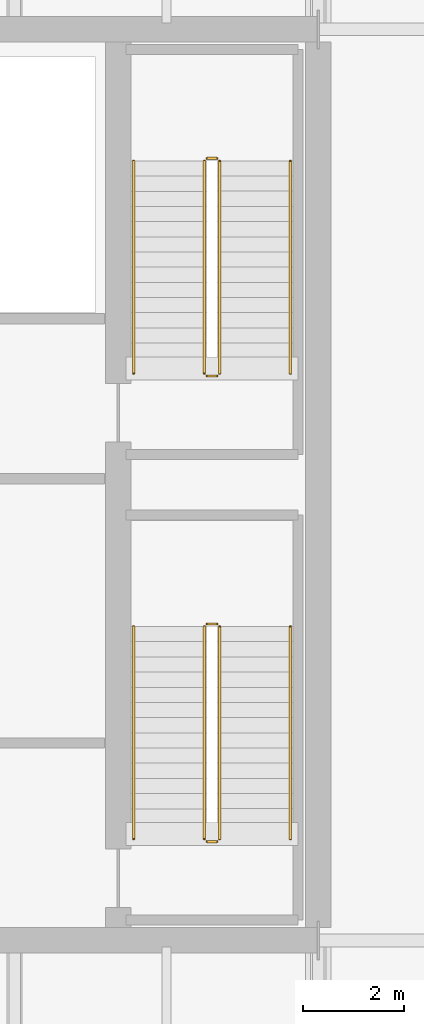
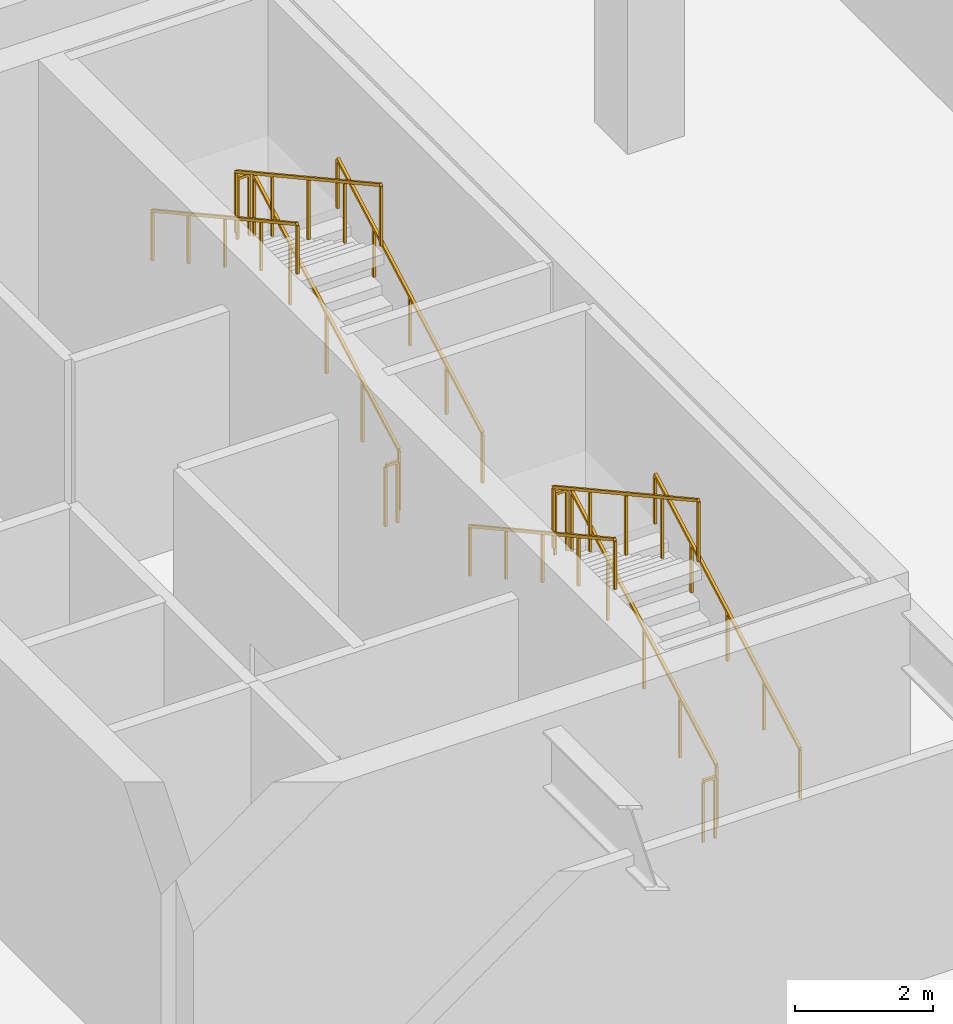
# One storey, part 20 of 21: 12 railings.
"""IFC4 building model written with IfcOpenShell, lengths in metres."""

from ifc_helpers import new_model, si_unit, direction, frame, origin, place, context, subcontext, project, spatial, rectangle, extrude, material, type_object, element, save


model = new_model("IFC4")

# Units and contexts
model_context = context("Model", 3, precision=1e-05, world=origin(), true_north=direction((0.0, 1.0)))
body_context = subcontext(model_context, "Body", "Model", "MODEL_VIEW")
ifc_project = project(units=[si_unit("LENGTHUNIT", "METRE"), si_unit("AREAUNIT", "SQUARE_METRE"), si_unit("VOLUMEUNIT", "CUBIC_METRE"), si_unit("PLANEANGLEUNIT", "RADIAN"), si_unit("MASSUNIT", "GRAM", prefix="KILO")], contexts=[model_context])

# Site, building, storey
site_placement = place(None, origin())
site = spatial("IfcSite", under=ifc_project, at=site_placement, CompositionType="ELEMENT")
building_placement = place(site_placement, origin())
building = spatial("IfcBuilding", under=site, at=building_placement, Name="Tanjung Sevakor Pilgrim Tower", CompositionType="ELEMENT")
storey_placement = place(building_placement, frame((0.0, 0.0, 123.090087890625)))
storey = spatial("IfcBuildingStorey", under=building, at=storey_placement, Name="L34", CompositionType="ELEMENT", Elevation=123.090087890625)

# Railings
ifc_material_1 = material(Name="Steel S355J2", Category="steel")
railing_type_1 = type_object("IfcRailingType", Name="RL-STAIR-GUARD", PredefinedType="GUARDRAIL", material=ifc_material_1)
railing_1_placement = place(storey_placement, frame((88.050048828125, 26.60009765625, 0.164794921875)))
element("IfcRailing", 1, at=railing_1_placement, inside=storey, type_object=railing_type_1, Name="L34 TS-E1 stair guard 1", PredefinedType="GUARDRAIL", context=body_context, shape_type="SweptSolid", body=[
    extrude(rectangle(XDim=0.0479, YDim=0.0479), frame((0.0, 0.0, 1.076171875), z_axis=(0.0, 0.876208380975, 0.481932436249), x_axis=(-1.0, 0.0, 0.0)), (0.0, 0.0, 1.0), 4.793212890625),
    extrude(rectangle(XDim=0.042, YDim=0.042), origin(), (0.0, 0.0, 1.0), 1.052001953125),
    extrude(rectangle(XDim=0.042, YDim=0.042), frame((0.0, 1.050048828125, 0.57763671875)), (0.0, 0.0, 1.0), 1.052001953125),
    extrude(rectangle(XDim=0.042, YDim=0.042), frame((0.0, 2.10009765625, 1.155029296875)), (0.0, 0.0, 1.0), 1.052001953125),
    extrude(rectangle(XDim=0.042, YDim=0.042), frame((0.0, 3.14990234375, 1.732421875)), (0.0, 0.0, 1.0), 1.052001953125),
    extrude(rectangle(XDim=0.042, YDim=0.042), frame((0.0, 4.199951171875, 2.31005859375)), (0.0, 0.0, 1.0), 1.052001953125),
])
railing_2_placement = place(storey_placement, frame((88.0, 30.85009765625, 2.474853515625)))
element("IfcRailing", 2, at=railing_2_placement, inside=storey, type_object=railing_type_1, Name="L34 TS-E1 stair guard 2", PredefinedType="GUARDRAIL", context=body_context, shape_type="SweptSolid", body=[
    extrude(rectangle(XDim=0.0479, YDim=0.0479), frame((0.0, 0.0, 1.076171875), z_axis=(-1.0, 0.0, 0.0), x_axis=(0.0, -1.0, 0.0)), (0.0, 0.0, 1.0), 0.199951171875),
    extrude(rectangle(XDim=0.042, YDim=0.042), origin(), (0.0, 0.0, 1.0), 1.052001953125),
    extrude(rectangle(XDim=0.042, YDim=0.042), frame((-0.199951171875, 0.0, 0.0)), (0.0, 0.0, 1.0), 1.052001953125),
])
railing_3_placement = place(storey_placement, frame((87.75, 30.800048828125, 2.639892578125)))
element("IfcRailing", 3, at=railing_3_placement, inside=storey, type_object=railing_type_1, Name="L34 TS-E1 stair guard 3", PredefinedType="GUARDRAIL", context=body_context, shape_type="SweptSolid", body=[
    extrude(rectangle(XDim=0.0479, YDim=0.0479), frame((0.0, 0.0, 1.076171875), z_axis=(0.0, -0.876208380975, 0.481932436249), x_axis=(1.0, 0.0, 0.0)), (0.0, 0.0, 1.0), 4.793212890625),
    extrude(rectangle(XDim=0.042, YDim=0.042), origin(), (0.0, 0.0, 1.0), 1.052001953125),
    extrude(rectangle(XDim=0.042, YDim=0.042), frame((0.0, -1.050048828125, 0.57763671875)), (0.0, 0.0, 1.0), 1.052001953125),
    extrude(rectangle(XDim=0.042, YDim=0.042), frame((0.0, -2.10009765625, 1.155029296875)), (0.0, 0.0, 1.0), 1.052001953125),
    extrude(rectangle(XDim=0.042, YDim=0.042), frame((0.0, -3.14990234375, 1.732421875)), (0.0, 0.0, 1.0), 1.052001953125),
    extrude(rectangle(XDim=0.042, YDim=0.042), frame((0.0, -4.199951171875, 2.31005859375)), (0.0, 0.0, 1.0), 1.052001953125),
])
railing_4_placement = place(storey_placement, frame((88.0, 26.550048828125, 0.0)))
element("IfcRailing", 4, at=railing_4_placement, inside=storey, type_object=railing_type_1, Name="L34 TS-E1 stair guard 4", PredefinedType="GUARDRAIL", context=body_context, shape_type="SweptSolid", body=[
    extrude(rectangle(XDim=0.0479, YDim=0.0479), frame((0.0, 0.0, 1.076171875), z_axis=(-1.0, 0.0, 0.0), x_axis=(0.0, -1.0, 0.0)), (0.0, 0.0, 1.0), 0.199951171875),
    extrude(rectangle(XDim=0.042, YDim=0.042), origin(), (0.0, 0.0, 1.0), 1.052001953125),
    extrude(rectangle(XDim=0.042, YDim=0.042), frame((-0.199951171875, 0.0, 0.0)), (0.0, 0.0, 1.0), 1.052001953125),
])
railing_5_placement = place(storey_placement, frame((88.050048828125, 35.800048828125, 0.164794921875)))
element("IfcRailing", 5, at=railing_5_placement, inside=storey, type_object=railing_type_1, Name="L34 TS-E2 stair guard 1", PredefinedType="GUARDRAIL", context=body_context, shape_type="SweptSolid", body=[
    extrude(rectangle(XDim=0.0479, YDim=0.0479), frame((0.0, 0.0, 1.076171875), z_axis=(0.0, 0.876208380975, 0.481932436249), x_axis=(-1.0, 0.0, 0.0)), (0.0, 0.0, 1.0), 4.793212890625),
    extrude(rectangle(XDim=0.042, YDim=0.042), origin(), (0.0, 0.0, 1.0), 1.052001953125),
    extrude(rectangle(XDim=0.042, YDim=0.042), frame((0.0, 1.050048828125, 0.57763671875)), (0.0, 0.0, 1.0), 1.052001953125),
    extrude(rectangle(XDim=0.042, YDim=0.042), frame((0.0, 2.10009765625, 1.155029296875)), (0.0, 0.0, 1.0), 1.052001953125),
    extrude(rectangle(XDim=0.042, YDim=0.042), frame((0.0, 3.14990234375, 1.732421875)), (0.0, 0.0, 1.0), 1.052001953125),
    extrude(rectangle(XDim=0.042, YDim=0.042), frame((0.0, 4.199951171875, 2.31005859375)), (0.0, 0.0, 1.0), 1.052001953125),
])
railing_6_placement = place(storey_placement, frame((88.0, 40.050048828125, 2.474853515625)))
element("IfcRailing", 6, at=railing_6_placement, inside=storey, type_object=railing_type_1, Name="L34 TS-E2 stair guard 2", PredefinedType="GUARDRAIL", context=body_context, shape_type="SweptSolid", body=[
    extrude(rectangle(XDim=0.0479, YDim=0.0479), frame((0.0, 0.0, 1.076171875), z_axis=(-1.0, 0.0, 0.0), x_axis=(0.0, -1.0, 0.0)), (0.0, 0.0, 1.0), 0.199951171875),
    extrude(rectangle(XDim=0.042, YDim=0.042), origin(), (0.0, 0.0, 1.0), 1.052001953125),
    extrude(rectangle(XDim=0.042, YDim=0.042), frame((-0.199951171875, 0.0, 0.0)), (0.0, 0.0, 1.0), 1.052001953125),
])
railing_7_placement = place(storey_placement, frame((87.75, 40.0, 2.639892578125)))
element("IfcRailing", 7, at=railing_7_placement, inside=storey, type_object=railing_type_1, Name="L34 TS-E2 stair guard 3", PredefinedType="GUARDRAIL", context=body_context, shape_type="SweptSolid", body=[
    extrude(rectangle(XDim=0.0479, YDim=0.0479), frame((0.0, 0.0, 1.076171875), z_axis=(0.0, -0.876208380975, 0.481932436249), x_axis=(1.0, 0.0, 0.0)), (0.0, 0.0, 1.0), 4.793212890625),
    extrude(rectangle(XDim=0.042, YDim=0.042), origin(), (0.0, 0.0, 1.0), 1.052001953125),
    extrude(rectangle(XDim=0.042, YDim=0.042), frame((0.0, -1.050048828125, 0.57763671875)), (0.0, 0.0, 1.0), 1.052001953125),
    extrude(rectangle(XDim=0.042, YDim=0.042), frame((0.0, -2.10009765625, 1.155029296875)), (0.0, 0.0, 1.0), 1.052001953125),
    extrude(rectangle(XDim=0.042, YDim=0.042), frame((0.0, -3.14990234375, 1.732421875)), (0.0, 0.0, 1.0), 1.052001953125),
    extrude(rectangle(XDim=0.042, YDim=0.042), frame((0.0, -4.199951171875, 2.31005859375)), (0.0, 0.0, 1.0), 1.052001953125),
])
railing_8_placement = place(storey_placement, frame((88.0, 35.75, 0.0)))
element("IfcRailing", 8, at=railing_8_placement, inside=storey, type_object=railing_type_1, Name="L34 TS-E2 stair guard 4", PredefinedType="GUARDRAIL", context=body_context, shape_type="SweptSolid", body=[
    extrude(rectangle(XDim=0.0479, YDim=0.0479), frame((0.0, 0.0, 1.076171875), z_axis=(-1.0, 0.0, 0.0), x_axis=(0.0, -1.0, 0.0)), (0.0, 0.0, 1.0), 0.199951171875),
    extrude(rectangle(XDim=0.042, YDim=0.042), origin(), (0.0, 0.0, 1.0), 1.052001953125),
    extrude(rectangle(XDim=0.042, YDim=0.042), frame((-0.199951171875, 0.0, 0.0)), (0.0, 0.0, 1.0), 1.052001953125),
])
ifc_material_2 = material(Name="Steel S355J2", Category="steel")
railing_type_2 = type_object("IfcRailingType", Name="RL-STAIR-HAND", PredefinedType="HANDRAIL", material=ifc_material_2)
railing_9_placement = place(storey_placement, frame((89.449951171875, 26.60009765625, 0.164794921875)))
element("IfcRailing", 9, at=railing_9_placement, inside=storey, type_object=railing_type_2, Name="L34 TS-E1 stair handrail 1", PredefinedType="HANDRAIL", context=body_context, shape_type="SweptSolid", body=[
    extrude(rectangle(XDim=0.0479, YDim=0.0479), frame((0.0, 0.0, 0.8759765625), z_axis=(0.0, 0.876208380975, 0.481932436249), x_axis=(-1.0, 0.0, 0.0)), (0.0, 0.0, 1.0), 4.793212890625),
    extrude(rectangle(XDim=0.042, YDim=0.042), origin(), (0.0, 0.0, 1.0), 0.851806640625),
    extrude(rectangle(XDim=0.042, YDim=0.042), frame((0.0, 1.050048828125, 0.57763671875)), (0.0, 0.0, 1.0), 0.851806640625),
    extrude(rectangle(XDim=0.042, YDim=0.042), frame((0.0, 2.10009765625, 1.155029296875)), (0.0, 0.0, 1.0), 0.851806640625),
    extrude(rectangle(XDim=0.042, YDim=0.042), frame((0.0, 3.14990234375, 1.732421875)), (0.0, 0.0, 1.0), 0.851806640625),
    extrude(rectangle(XDim=0.042, YDim=0.042), frame((0.0, 4.199951171875, 2.31005859375)), (0.0, 0.0, 1.0), 0.851806640625),
])
railing_10_placement = place(storey_placement, frame((86.35009765625, 30.800048828125, 2.639892578125)))
element("IfcRailing", 10, at=railing_10_placement, inside=storey, type_object=railing_type_2, Name="L34 TS-E1 stair handrail 2", PredefinedType="HANDRAIL", context=body_context, shape_type="SweptSolid", body=[
    extrude(rectangle(XDim=0.0479, YDim=0.0479), frame((0.0, 0.0, 0.8759765625), z_axis=(0.0, -0.876208380975, 0.481932436249), x_axis=(1.0, 0.0, 0.0)), (0.0, 0.0, 1.0), 4.793212890625),
    extrude(rectangle(XDim=0.042, YDim=0.042), origin(), (0.0, 0.0, 1.0), 0.851806640625),
    extrude(rectangle(XDim=0.042, YDim=0.042), frame((0.0, -1.050048828125, 0.57763671875)), (0.0, 0.0, 1.0), 0.851806640625),
    extrude(rectangle(XDim=0.042, YDim=0.042), frame((0.0, -2.10009765625, 1.155029296875)), (0.0, 0.0, 1.0), 0.851806640625),
    extrude(rectangle(XDim=0.042, YDim=0.042), frame((0.0, -3.14990234375, 1.732421875)), (0.0, 0.0, 1.0), 0.851806640625),
    extrude(rectangle(XDim=0.042, YDim=0.042), frame((0.0, -4.199951171875, 2.31005859375)), (0.0, 0.0, 1.0), 0.851806640625),
])
railing_11_placement = place(storey_placement, frame((89.449951171875, 35.800048828125, 0.164794921875)))
element("IfcRailing", 11, at=railing_11_placement, inside=storey, type_object=railing_type_2, Name="L34 TS-E2 stair handrail 1", PredefinedType="HANDRAIL", context=body_context, shape_type="SweptSolid", body=[
    extrude(rectangle(XDim=0.0479, YDim=0.0479), frame((0.0, 0.0, 0.8759765625), z_axis=(0.0, 0.876208380975, 0.481932436249), x_axis=(-1.0, 0.0, 0.0)), (0.0, 0.0, 1.0), 4.793212890625),
    extrude(rectangle(XDim=0.042, YDim=0.042), origin(), (0.0, 0.0, 1.0), 0.851806640625),
    extrude(rectangle(XDim=0.042, YDim=0.042), frame((0.0, 1.050048828125, 0.57763671875)), (0.0, 0.0, 1.0), 0.851806640625),
    extrude(rectangle(XDim=0.042, YDim=0.042), frame((0.0, 2.10009765625, 1.155029296875)), (0.0, 0.0, 1.0), 0.851806640625),
    extrude(rectangle(XDim=0.042, YDim=0.042), frame((0.0, 3.14990234375, 1.732421875)), (0.0, 0.0, 1.0), 0.851806640625),
    extrude(rectangle(XDim=0.042, YDim=0.042), frame((0.0, 4.199951171875, 2.31005859375)), (0.0, 0.0, 1.0), 0.851806640625),
])
railing_12_placement = place(storey_placement, frame((86.35009765625, 40.0, 2.639892578125)))
element("IfcRailing", 12, at=railing_12_placement, inside=storey, type_object=railing_type_2, Name="L34 TS-E2 stair handrail 2", PredefinedType="HANDRAIL", context=body_context, shape_type="SweptSolid", body=[
    extrude(rectangle(XDim=0.0479, YDim=0.0479), frame((0.0, 0.0, 0.8759765625), z_axis=(0.0, -0.876208380975, 0.481932436249), x_axis=(1.0, 0.0, 0.0)), (0.0, 0.0, 1.0), 4.793212890625),
    extrude(rectangle(XDim=0.042, YDim=0.042), origin(), (0.0, 0.0, 1.0), 0.851806640625),
    extrude(rectangle(XDim=0.042, YDim=0.042), frame((0.0, -1.050048828125, 0.57763671875)), (0.0, 0.0, 1.0), 0.851806640625),
    extrude(rectangle(XDim=0.042, YDim=0.042), frame((0.0, -2.10009765625, 1.155029296875)), (0.0, 0.0, 1.0), 0.851806640625),
    extrude(rectangle(XDim=0.042, YDim=0.042), frame((0.0, -3.14990234375, 1.732421875)), (0.0, 0.0, 1.0), 0.851806640625),
    extrude(rectangle(XDim=0.042, YDim=0.042), frame((0.0, -4.199951171875, 2.31005859375)), (0.0, 0.0, 1.0), 0.851806640625),
])

save(model, "model.ifc")
